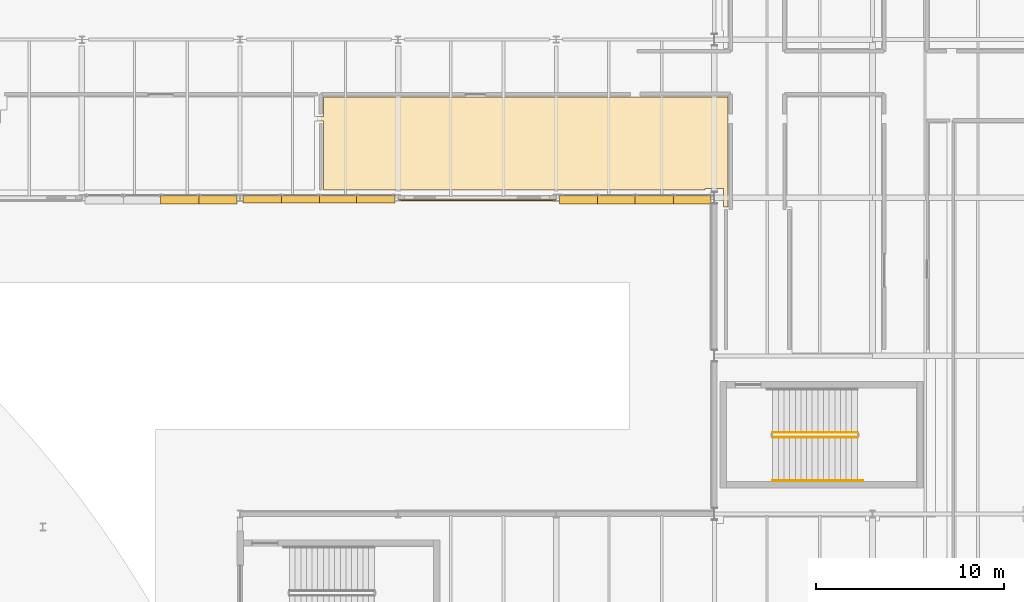
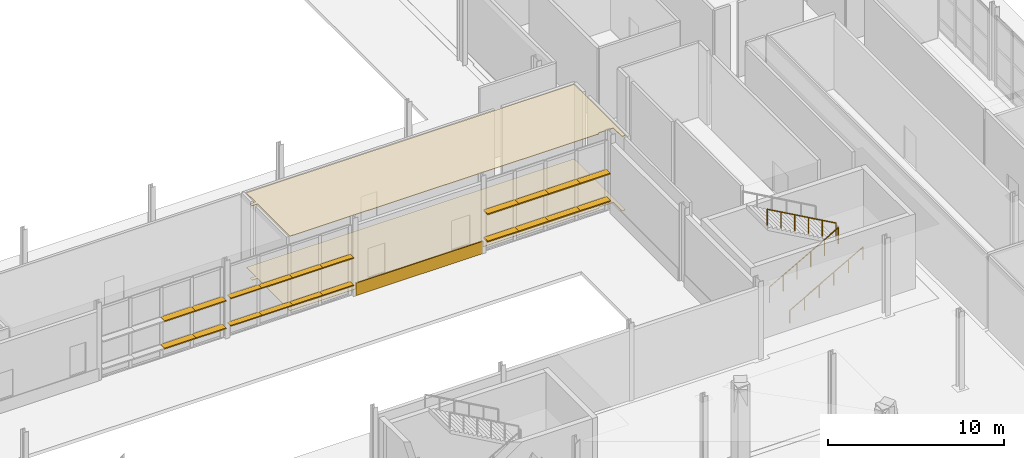
# One storey, part 104 of 124: 20 shading devices, 3 coverings, 3 railings.
"""IFC4 building model written with IfcOpenShell, lengths in metres."""

from ifc_helpers import new_model, si_unit, direction, frame, origin, origin_2d, place, context, subcontext, project, spatial, polyline, rectangle, circle, outline, extrude, material, layer, layer_set, type_object, element, save


model = new_model("IFC4")

# Units and contexts
model_context = context("Model", 3, precision=1e-05, world=origin(), true_north=direction((0.0, 1.0)))
body_context = subcontext(model_context, "Body", "Model", "MODEL_VIEW")
ifc_project = project(units=[si_unit("LENGTHUNIT", "METRE"), si_unit("AREAUNIT", "SQUARE_METRE"), si_unit("VOLUMEUNIT", "CUBIC_METRE"), si_unit("PLANEANGLEUNIT", "RADIAN"), si_unit("MASSUNIT", "GRAM", prefix="KILO")], contexts=[model_context])

# Site, building, storey
site_placement = place(None, origin())
site = spatial("IfcSite", under=ifc_project, at=site_placement, CompositionType="ELEMENT")
building_placement = place(site_placement, origin())
building = spatial("IfcBuilding", under=site, at=building_placement, Name="Mersafa Astral City Hall", CompositionType="ELEMENT")
storey_placement = place(building_placement, origin())
storey = spatial("IfcBuildingStorey", under=building, at=storey_placement, Name="L00", CompositionType="ELEMENT", Elevation=0.0)

# Covering
ifc_material_1 = material(Name="Cairo Mokattam buff limestone cladding", Category="masonry")
ifc_layer_1 = layer(ifc_material_1, 0.06005859375, Name="Cairo Mokattam buff limestone cladding")
ifc_layer_set_1 = layer_set([ifc_layer_1], Name="Cairo Mokattam buff limestone cladding — ENV-COV-LIMESTONE-60")
covering_type_1 = type_object("IfcCoveringType", Name="ENV-COV-LIMESTONE-60", PredefinedType="CLADDING", material=ifc_layer_set_1)
covering_1_placement = place(storey_placement, frame((79.800048828125, 50.260498046875, 0.0), z_axis=(0.0, 0.0, 1.0), x_axis=(1.0, 0.0, 0.0)))
element("IfcCovering", 1, at=covering_1_placement, inside=storey, type_object=covering_type_1, Name="L00 Cairo buff limestone rainscreen cladding 53", PredefinedType="CLADDING", context=body_context, shape_type="SweptSolid", body=[
    extrude(rectangle(XDim=8.323974609375, YDim=0.06005859375, at=origin_2d()), origin(), (0.0, 0.0, 1.0), 0.860107421875),
])

# Shading devices
ifc_material_2 = material(Name="Kiln-dried cedar timber brise-soleil blade", Category="wood")
shading_device_type_1 = type_object("IfcShadingDeviceType", Name="ENV-SHD-LOUVRE-380", PredefinedType="JALOUSIE", material=ifc_material_2)
shading_device_1_placement = place(storey_placement, frame((68.386474609375, 50.320068359375, 0.81494140625), z_axis=(0.0, 0.0, 1.0), x_axis=(1.0, 0.0, 0.0)))
element("IfcShadingDevice", 2, at=shading_device_1_placement, inside=storey, type_object=shading_device_type_1, Name="L00 Horizontal cedar brise-soleil louvre 277", PredefinedType="JALOUSIE", context=body_context, shape_type="SweptSolid", body=[
    extrude(rectangle(XDim=2.029052734375, YDim=0.3798828125, at=origin_2d()), origin(), (0.0, 0.0, 1.0), 0.070068359375),
])
for number, where, z_axis, x_axis, name in (
    (3, (70.390380859375, 50.320068359375, 0.81494140625), (0.0, 0.0, 1.0), (1.0, 0.0, 0.0), "L00 Horizontal cedar brise-soleil louvre 278"),
    (4, (72.409423828125, 50.320068359375, 0.81494140625), (0.0, 0.0, 1.0), (1.0, 0.0, 0.0), "L00 Horizontal cedar brise-soleil louvre 279"),
):
    element("IfcShadingDevice", number, at=place(storey_placement, frame(where, z_axis=z_axis, x_axis=x_axis)), inside=storey, type_object=shading_device_type_1, Name=name, PredefinedType="JALOUSIE", context=body_context, shape_type="SweptSolid", body=[
        extrude(rectangle(XDim=2.05908203125, YDim=0.3798828125, at=origin_2d()), origin(), (0.0, 0.0, 1.0), 0.070068359375),
    ])
for number, where, z_axis, x_axis, name in (
    (5, (74.41357421875, 50.320068359375, 0.81494140625), (0.0, 0.0, 1.0), (1.0, 0.0, 0.0), "L00 Horizontal cedar brise-soleil louvre 280"),
    (6, (68.386474609375, 50.320068359375, 2.71484375), (0.0, 0.0, 1.0), (1.0, 0.0, 0.0), "L00 Horizontal cedar brise-soleil louvre 281"),
):
    element("IfcShadingDevice", number, at=place(storey_placement, frame(where, z_axis=z_axis, x_axis=x_axis)), inside=storey, type_object=shading_device_type_1, Name=name, PredefinedType="JALOUSIE", context=body_context, shape_type="SweptSolid", body=[
        extrude(rectangle(XDim=2.029052734375, YDim=0.3798828125, at=origin_2d()), origin(), (0.0, 0.0, 1.0), 0.070068359375),
    ])
for number, where, z_axis, x_axis, name in (
    (7, (70.390380859375, 50.320068359375, 2.71484375), (0.0, 0.0, 1.0), (1.0, 0.0, 0.0), "L00 Horizontal cedar brise-soleil louvre 282"),
    (8, (72.409423828125, 50.320068359375, 2.71484375), (0.0, 0.0, 1.0), (1.0, 0.0, 0.0), "L00 Horizontal cedar brise-soleil louvre 283"),
):
    element("IfcShadingDevice", number, at=place(storey_placement, frame(where, z_axis=z_axis, x_axis=x_axis)), inside=storey, type_object=shading_device_type_1, Name=name, PredefinedType="JALOUSIE", context=body_context, shape_type="SweptSolid", body=[
        extrude(rectangle(XDim=2.05908203125, YDim=0.3798828125, at=origin_2d()), origin(), (0.0, 0.0, 1.0), 0.070068359375),
    ])
shading_device_2_placement = place(storey_placement, frame((74.41357421875, 50.320068359375, 2.71484375), z_axis=(0.0, 0.0, 1.0), x_axis=(1.0, 0.0, 0.0)))
element("IfcShadingDevice", 9, at=shading_device_2_placement, inside=storey, type_object=shading_device_type_1, Name="L00 Horizontal cedar brise-soleil louvre 284", PredefinedType="JALOUSIE", context=body_context, shape_type="SweptSolid", body=[
    extrude(rectangle(XDim=2.029052734375, YDim=0.3798828125, at=origin_2d()), origin(), (0.0, 0.0, 1.0), 0.070068359375),
])
shading_device_type_2 = type_object("IfcShadingDeviceType", Name="ENV-SHD-LOUVRE-450", PredefinedType="JALOUSIE", material=ifc_material_2)
shading_device_3_placement = place(storey_placement, frame((64.009521484375, 50.284912109375, 0.81005859375), z_axis=(0.0, 0.0, 1.0), x_axis=(1.0, 0.0, 0.0)))
element("IfcShadingDevice", 10, at=shading_device_3_placement, inside=storey, type_object=shading_device_type_2, Name="L00 Horizontal cedar brise-soleil louvre 271", PredefinedType="JALOUSIE", context=body_context, shape_type="SweptSolid", body=[
    extrude(rectangle(XDim=2.05908203125, YDim=0.449951171875, at=origin_2d()), origin(), (0.0, 0.0, 1.0), 0.080078125),
])
shading_device_4_placement = place(storey_placement, frame((66.013427734375, 50.284912109375, 0.81005859375), z_axis=(0.0, 0.0, 1.0), x_axis=(1.0, 0.0, 0.0)))
element("IfcShadingDevice", 11, at=shading_device_4_placement, inside=storey, type_object=shading_device_type_2, Name="L00 Horizontal cedar brise-soleil louvre 272", PredefinedType="JALOUSIE", context=body_context, shape_type="SweptSolid", body=[
    extrude(rectangle(XDim=2.029052734375, YDim=0.449951171875, at=origin_2d()), origin(), (0.0, 0.0, 1.0), 0.080078125),
])
shading_device_5_placement = place(storey_placement, frame((64.009521484375, 50.284912109375, 2.7099609375), z_axis=(0.0, 0.0, 1.0), x_axis=(1.0, 0.0, 0.0)))
element("IfcShadingDevice", 12, at=shading_device_5_placement, inside=storey, type_object=shading_device_type_2, Name="L00 Horizontal cedar brise-soleil louvre 275", PredefinedType="JALOUSIE", context=body_context, shape_type="SweptSolid", body=[
    extrude(rectangle(XDim=2.05908203125, YDim=0.449951171875, at=origin_2d()), origin(), (0.0, 0.0, 1.0), 0.080078125),
])
for number, where, z_axis, x_axis, name in (
    (13, (66.013427734375, 50.284912109375, 2.7099609375), (0.0, 0.0, 1.0), (1.0, 0.0, 0.0), "L00 Horizontal cedar brise-soleil louvre 276"),
    (14, (85.1865234375, 50.284912109375, 0.81005859375), (0.0, 0.0, 1.0), (1.0, 0.0, 0.0), "L00 Horizontal cedar brise-soleil louvre 285"),
):
    element("IfcShadingDevice", number, at=place(storey_placement, frame(where, z_axis=z_axis, x_axis=x_axis)), inside=storey, type_object=shading_device_type_2, Name=name, PredefinedType="JALOUSIE", context=body_context, shape_type="SweptSolid", body=[
        extrude(rectangle(XDim=2.029052734375, YDim=0.449951171875, at=origin_2d()), origin(), (0.0, 0.0, 1.0), 0.080078125),
    ])
for number, where, z_axis, x_axis, name in (
    (15, (87.1904296875, 50.284912109375, 0.81005859375), (0.0, 0.0, 1.0), (1.0, 0.0, 0.0), "L00 Horizontal cedar brise-soleil louvre 286"),
    (16, (89.20947265625, 50.284912109375, 0.81005859375), (0.0, 0.0, 1.0), (1.0, 0.0, 0.0), "L00 Horizontal cedar brise-soleil louvre 287"),
):
    element("IfcShadingDevice", number, at=place(storey_placement, frame(where, z_axis=z_axis, x_axis=x_axis)), inside=storey, type_object=shading_device_type_2, Name=name, PredefinedType="JALOUSIE", context=body_context, shape_type="SweptSolid", body=[
        extrude(rectangle(XDim=2.05908203125, YDim=0.449951171875, at=origin_2d()), origin(), (0.0, 0.0, 1.0), 0.080078125),
    ])
for number, where, z_axis, x_axis, name in (
    (17, (91.21337890625, 50.284912109375, 0.81005859375), (0.0, 0.0, 1.0), (1.0, 0.0, 0.0), "L00 Horizontal cedar brise-soleil louvre 288"),
    (18, (85.1865234375, 50.284912109375, 2.7099609375), (0.0, 0.0, 1.0), (1.0, 0.0, 0.0), "L00 Horizontal cedar brise-soleil louvre 289"),
):
    element("IfcShadingDevice", number, at=place(storey_placement, frame(where, z_axis=z_axis, x_axis=x_axis)), inside=storey, type_object=shading_device_type_2, Name=name, PredefinedType="JALOUSIE", context=body_context, shape_type="SweptSolid", body=[
        extrude(rectangle(XDim=2.029052734375, YDim=0.449951171875, at=origin_2d()), origin(), (0.0, 0.0, 1.0), 0.080078125),
    ])
for number, where, z_axis, x_axis, name in (
    (19, (87.1904296875, 50.284912109375, 2.7099609375), (0.0, 0.0, 1.0), (1.0, 0.0, 0.0), "L00 Horizontal cedar brise-soleil louvre 290"),
    (20, (89.20947265625, 50.284912109375, 2.7099609375), (0.0, 0.0, 1.0), (1.0, 0.0, 0.0), "L00 Horizontal cedar brise-soleil louvre 291"),
):
    element("IfcShadingDevice", number, at=place(storey_placement, frame(where, z_axis=z_axis, x_axis=x_axis)), inside=storey, type_object=shading_device_type_2, Name=name, PredefinedType="JALOUSIE", context=body_context, shape_type="SweptSolid", body=[
        extrude(rectangle(XDim=2.05908203125, YDim=0.449951171875, at=origin_2d()), origin(), (0.0, 0.0, 1.0), 0.080078125),
    ])
shading_device_6_placement = place(storey_placement, frame((91.21337890625, 50.284912109375, 2.7099609375), z_axis=(0.0, 0.0, 1.0), x_axis=(1.0, 0.0, 0.0)))
element("IfcShadingDevice", 21, at=shading_device_6_placement, inside=storey, type_object=shading_device_type_2, Name="L00 Horizontal cedar brise-soleil louvre 292", PredefinedType="JALOUSIE", context=body_context, shape_type="SweptSolid", body=[
    extrude(rectangle(XDim=2.029052734375, YDim=0.449951171875, at=origin_2d()), origin(), (0.0, 0.0, 1.0), 0.080078125),
])

# Railings
ifc_material_3 = material(Name="Painted architectural steel stair guard balustrade", Category="steel")
railing_type_1 = type_object("IfcRailingType", Name="GUARD-RAIL", PredefinedType="BALUSTRADE", material=ifc_material_3)
railing_1_placement = place(storey_placement, frame((95.5, 37.669921875, 0.168701171875)))
element("IfcRailing", 22, at=railing_1_placement, inside=storey, type_object=railing_type_1, Name="L00 ST8 stair guard 1", PredefinedType="BALUSTRADE", context=body_context, shape_type="SweptSolid", body=[
    extrude(circle(Radius=0.02392578125, at=origin_2d()), frame((0.0, 0.0, 1.09619140625), z_axis=(0.871575537125, 0.0, 0.490261239633), x_axis=(0.0, 1.0, 0.0)), (0.0, 0.0, 1.0), 5.1630859375),
    extrude(circle(Radius=0.02099609375, at=origin_2d()), origin(), (0.0, 0.0, 1.0), 1.072021484375),
    extrude(circle(Radius=0.02099609375, at=origin_2d()), frame((0.89990234375, 0.0, 0.50634765625)), (0.0, 0.0, 1.0), 1.072021484375),
    extrude(circle(Radius=0.02099609375, at=origin_2d()), frame((1.800048828125, 0.0, 1.012451171875)), (0.0, 0.0, 1.0), 1.072021484375),
    extrude(circle(Radius=0.02099609375, at=origin_2d()), frame((2.699951171875, 0.0, 1.518798828125)), (0.0, 0.0, 1.0), 1.072021484375),
    extrude(circle(Radius=0.02099609375, at=origin_2d()), frame((3.60009765625, 0.0, 2.02490234375)), (0.0, 0.0, 1.0), 1.072021484375),
    extrude(circle(Radius=0.02099609375, at=origin_2d()), frame((4.5, 0.0, 2.53125)), (0.0, 0.0, 1.0), 1.072021484375),
])
railing_2_placement = place(storey_placement, frame((100.0, 37.929931640625, 2.86865234375)))
element("IfcRailing", 23, at=railing_2_placement, inside=storey, type_object=railing_type_1, Name="L00 ST8 stair guard 3", PredefinedType="BALUSTRADE", context=body_context, shape_type="SweptSolid", body=[
    extrude(circle(Radius=0.02392578125, at=origin_2d()), frame((0.0, 0.0, 1.09619140625), z_axis=(-0.871575537125, 0.0, 0.490261239633), x_axis=(0.0, -1.0, 0.0)), (0.0, 0.0, 1.0), 5.1630859375),
    extrude(circle(Radius=0.02099609375, at=origin_2d()), origin(), (0.0, 0.0, 1.0), 1.072021484375),
    extrude(circle(Radius=0.02099609375, at=origin_2d()), frame((-0.89990234375, 0.0, 0.50634765625)), (0.0, 0.0, 1.0), 1.072021484375),
    extrude(circle(Radius=0.02099609375, at=origin_2d()), frame((-1.800048828125, 0.0, 1.012451171875)), (0.0, 0.0, 1.0), 1.072021484375),
    extrude(circle(Radius=0.02099609375, at=origin_2d()), frame((-2.699951171875, 0.0, 1.518798828125)), (0.0, 0.0, 1.0), 1.072021484375),
    extrude(circle(Radius=0.02099609375, at=origin_2d()), frame((-3.60009765625, 0.0, 2.02490234375)), (0.0, 0.0, 1.0), 1.072021484375),
    extrude(circle(Radius=0.02099609375, at=origin_2d()), frame((-4.5, 0.0, 2.53125)), (0.0, 0.0, 1.0), 1.072021484375),
])
ifc_material_4 = material(Name="Brushed stainless steel tubular handrail", Category="steel")
railing_type_2 = type_object("IfcRailingType", Name="HANDRAIL", PredefinedType="HANDRAIL", material=ifc_material_4)
railing_3_placement = place(storey_placement, frame((95.5, 35.3701171875, 0.168701171875)))
element("IfcRailing", 24, at=railing_3_placement, inside=storey, type_object=railing_type_2, Name="L00 ST8 stair handrail 1", PredefinedType="HANDRAIL", context=body_context, shape_type="SweptSolid", body=[
    extrude(circle(Radius=0.02392578125, at=origin_2d()), frame((0.0, 0.0, 0.8759765625), z_axis=(0.871335168691, 0.0, 0.49068831635), x_axis=(0.0, 1.0, 0.0)), (0.0, 0.0, 1.0), 5.5087890625),
    extrude(circle(Radius=0.02099609375, at=origin_2d()), origin(), (0.0, 0.0, 1.0), 0.851806640625),
    extrude(circle(Radius=0.02099609375, at=origin_2d()), frame((0.9599609375, 0.0, 0.54052734375)), (0.0, 0.0, 1.0), 0.851806640625),
    extrude(circle(Radius=0.02099609375, at=origin_2d()), frame((1.919921875, 0.0, 1.081298828125)), (0.0, 0.0, 1.0), 0.851806640625),
    extrude(circle(Radius=0.02099609375, at=origin_2d()), frame((2.880126953125, 0.0, 1.621826171875)), (0.0, 0.0, 1.0), 0.851806640625),
    extrude(circle(Radius=0.02099609375, at=origin_2d()), frame((3.840087890625, 0.0, 2.16259765625)), (0.0, 0.0, 1.0), 0.851806640625),
    extrude(circle(Radius=0.02099609375, at=origin_2d()), frame((4.800048828125, 0.0, 2.703125)), (0.0, 0.0, 1.0), 0.851806640625),
])

# Coverings
ifc_material_5 = material(Name="Slatted cedar timber acoustic baffle ceiling", Category="wood")
ifc_layer_2 = layer(ifc_material_5, 0.034912109375, Name="Slatted cedar timber acoustic baffle ceiling")
ifc_layer_set_2 = layer_set([ifc_layer_2], Name="Slatted cedar timber acoustic baffle ceiling — INT-COV-CEIL-35")
covering_type_2 = type_object("IfcCoveringType", Name="INT-COV-CEIL-35", PredefinedType="CEILING", material=ifc_layer_set_2)
covering_2_placement = place(storey_placement, frame((0.0, 0.0, 5.14599609375)))
element("IfcCovering", 25, at=covering_2_placement, inside=storey, type_object=covering_type_2, Name="L00 Municipal Licensing Counter Hall L00-31 acoustic ceiling", PredefinedType="CEILING", context=body_context, shape_type="SweptSolid", body=[
    extrude(outline(polyline([(71.6298828125, 54.47998046875), (71.280029296875, 54.47998046875), (71.280029296875, 54.719970703125), (71.6298828125, 54.719970703125), (71.6298828125, 55.760009765625), (93.1298828125, 55.760009765625), (93.1298828125, 49.919921875), (92.89501953125, 49.919921875), (92.89501953125, 50.89501953125), (91.905029296875, 50.89501953125), (91.905029296875, 50.800048828125), (71.6298828125, 50.800048828125), (71.6298828125, 54.47998046875)])), origin(), (0.0, 0.0, 1.0), 0.034912109375),
])
ifc_material_6 = material(Name="Honed Cairo limestone terrazzo flooring", Category="masonry")
ifc_layer_3 = layer(ifc_material_6, 0.02001953125, Name="Honed Cairo limestone terrazzo flooring")
ifc_layer_set_3 = layer_set([ifc_layer_3], Name="Honed Cairo limestone terrazzo flooring — INT-COV-FLR-20")
covering_type_3 = type_object("IfcCoveringType", Name="INT-COV-FLR-20", PredefinedType="FLOORING", material=ifc_layer_set_3)
covering_3_placement = place(storey_placement, frame((0.0, 0.0, -0.00146484375)))
element("IfcCovering", 26, at=covering_3_placement, inside=storey, type_object=covering_type_3, Name="L00 Municipal Licensing Counter Hall L00-31 architectural flooring", PredefinedType="FLOORING", context=body_context, shape_type="SweptSolid", body=[
    extrude(outline(polyline([(71.6298828125, 54.47998046875), (71.280029296875, 54.47998046875), (71.280029296875, 54.719970703125), (71.6298828125, 54.719970703125), (71.6298828125, 55.760009765625), (93.1298828125, 55.760009765625), (93.1298828125, 49.919921875), (92.89501953125, 49.919921875), (92.89501953125, 50.89501953125), (91.905029296875, 50.89501953125), (91.905029296875, 50.800048828125), (71.6298828125, 50.800048828125), (71.6298828125, 54.47998046875)])), origin(), (0.0, 0.0, 1.0), 0.02001953125),
])

save(model, "model.ifc")
